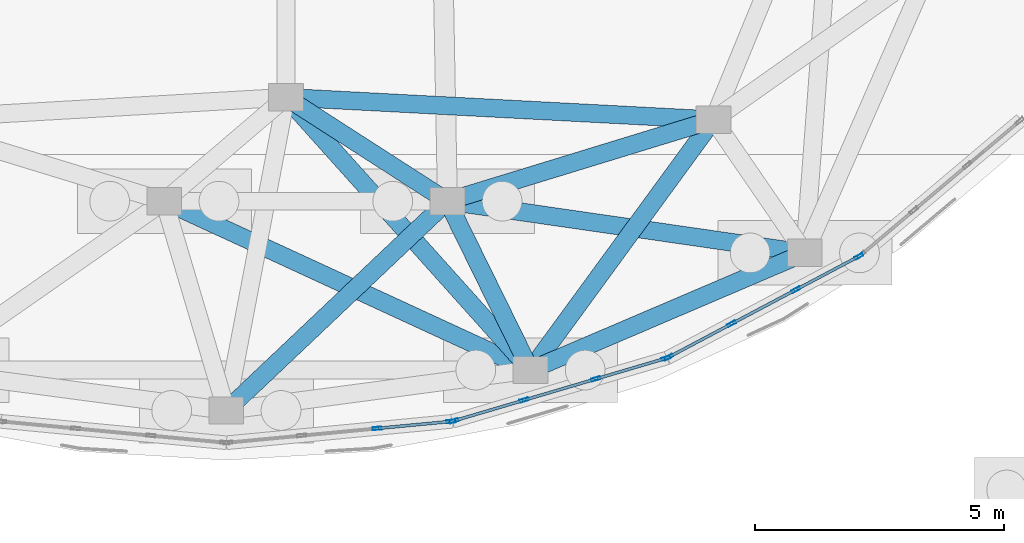
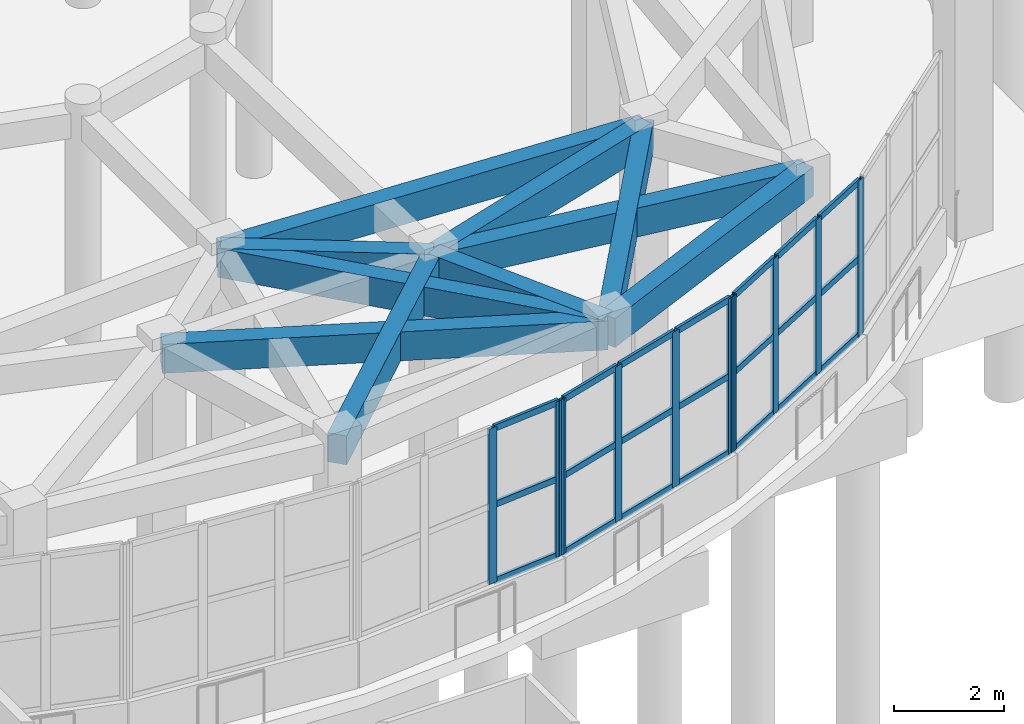
# One storey, part 11 of 96: 31 members, 10 beams, 3 elements without a shape of their own.
"""IFC4 building model written with IfcOpenShell, lengths in metres."""

from ifc_helpers import new_model, si_unit, direction, frame, origin, origin_2d, place, context, subcontext, project, spatial, rectangle, hollow_rectangle, extrude, material, layer, layer_set, material_profile, profile_set, type_object, element, aggregate, save


model = new_model("IFC4")

# Units and contexts
model_context = context("Model", 3, precision=1e-05, world=origin(), true_north=direction((0.0, 1.0)))
body_context = subcontext(model_context, "Body", "Model", "MODEL_VIEW")
ifc_project = project(units=[si_unit("LENGTHUNIT", "METRE"), si_unit("AREAUNIT", "SQUARE_METRE"), si_unit("VOLUMEUNIT", "CUBIC_METRE"), si_unit("PLANEANGLEUNIT", "RADIAN"), si_unit("MASSUNIT", "GRAM", prefix="KILO")], contexts=[model_context])

# Site, building, storey
site_placement = place(None, origin())
site = spatial("IfcSite", under=ifc_project, at=site_placement, CompositionType="ELEMENT")
building_placement = place(site_placement, origin())
building = spatial("IfcBuilding", under=site, at=building_placement, Name="Pelvatis Terrace Science Centre", CompositionType="ELEMENT")
storey_placement = place(building_placement, origin())
storey = spatial("IfcBuildingStorey", under=building, at=storey_placement, Name="L00", CompositionType="ELEMENT", Elevation=0.0)

# Curtain wall, members
ifc_material_1 = material(Name="Bronze-anodised aluminium and laminated glass", Category="aluminium")
ifc_layer = layer(ifc_material_1, 0.179931640625)
ifc_layer_set = layer_set([ifc_layer], Name="Bronze-anodised aluminium and laminated glass")
curtain_wall_type = type_object("IfcCurtainWallType", Name="CW-RIBBON-A", PredefinedType="NOTDEFINED", material=ifc_layer_set)
curtain_wall_1_placement = place(storey_placement, origin())
curtain_wall_1 = element("IfcCurtainWall", 1, at=curtain_wall_1_placement, inside=storey, type_object=curtain_wall_type, Name="Ribbon curtain wall CW-015 (L00)", PredefinedType="NOTDEFINED")
ifc_material_2 = material(Name="Bronze-anodised aluminium 6063-T6", Category="aluminium")
ifc_material_profile_1 = material_profile(ifc_material_2, hollow_rectangle(XDim=0.06005859375, YDim=0.179931640625, WallThickness=0.00390625, at=origin_2d()), Name="ALU-MUL 60x180")
ifc_profile_set_1 = profile_set([ifc_material_profile_1], Name="Bronze-anodised aluminium 6063-T6")
member_type_1 = type_object("IfcMemberType", Name="CWM-60x180", PredefinedType="MULLION", material=ifc_profile_set_1)
member_1_placement = place(storey_placement, frame((48.6337890625, 17.23828125, 1.02001953125), z_axis=(0.0, 0.0, 1.0), x_axis=(-0.094616036521, 0.995513840001, 0.0)))
member_1 = element("IfcMember", 2, at=member_1_placement, type_object=member_type_1, Name="CW-015 mullion 3", PredefinedType="MULLION", context=body_context, shape_type="SweptSolid", body=[
    extrude(hollow_rectangle(XDim=0.06005859375, YDim=0.179931640625, WallThickness=0.00390625, at=origin_2d()), origin(), (0.0, 0.0, 1.0), 3.43994140625),
])
member_2_placement = place(storey_placement, frame((50.120849609375, 17.379638671875, 1.02001953125), z_axis=(0.0, 0.0, 1.0), x_axis=(-0.094616036521, 0.995513840001, 0.0)))
member_2 = element("IfcMember", 3, at=member_2_placement, type_object=member_type_1, Name="CW-015 mullion 4", PredefinedType="MULLION", context=body_context, shape_type="SweptSolid", body=[
    extrude(hollow_rectangle(XDim=0.06005859375, YDim=0.179931640625, WallThickness=0.00390625, at=origin_2d()), origin(), (0.0, 0.0, 1.0), 3.43994140625),
])

curtain_wall_2_placement = place(storey_placement, origin())
curtain_wall_2 = element("IfcCurtainWall", 4, at=curtain_wall_2_placement, inside=storey, type_object=curtain_wall_type, Name="Ribbon curtain wall CW-016 (L00)", PredefinedType="NOTDEFINED")
member_3_placement = place(storey_placement, frame((50.179443359375, 17.39111328125, 1.02001953125), z_axis=(0.0, 0.0, 1.0), x_axis=(-0.283092423463, 0.959092633575, 0.0)))
member_3 = element("IfcMember", 5, at=member_3_placement, type_object=member_type_1, Name="CW-016 mullion 1", PredefinedType="MULLION", context=body_context, shape_type="SweptSolid", body=[
    extrude(hollow_rectangle(XDim=0.06005859375, YDim=0.179931640625, WallThickness=0.00390625, at=origin_2d()), origin(), (0.0, 0.0, 1.0), 3.43994140625),
])
member_4_placement = place(storey_placement, frame((51.59130859375, 17.807861328125, 1.02001953125), z_axis=(0.0, 0.0, 1.0), x_axis=(-0.283092423463, 0.959092633575, 0.0)))
member_4 = element("IfcMember", 6, at=member_4_placement, type_object=member_type_1, Name="CW-016 mullion 2", PredefinedType="MULLION", context=body_context, shape_type="SweptSolid", body=[
    extrude(hollow_rectangle(XDim=0.06005859375, YDim=0.179931640625, WallThickness=0.00390625, at=origin_2d()), origin(), (0.0, 0.0, 1.0), 3.43994140625),
])
member_5_placement = place(storey_placement, frame((53.0322265625, 18.233154296875, 1.02001953125), z_axis=(0.0, 0.0, 1.0), x_axis=(-0.283092423463, 0.959092633575, 0.0)))
member_5 = element("IfcMember", 7, at=member_5_placement, type_object=member_type_1, Name="CW-016 mullion 3", PredefinedType="MULLION", context=body_context, shape_type="SweptSolid", body=[
    extrude(hollow_rectangle(XDim=0.06005859375, YDim=0.179931640625, WallThickness=0.00390625, at=origin_2d()), origin(), (0.0, 0.0, 1.0), 3.43994140625),
])
member_6_placement = place(storey_placement, frame((54.444091796875, 18.64990234375, 1.02001953125), z_axis=(0.0, 0.0, 1.0), x_axis=(-0.283092423463, 0.959092633575, 0.0)))
member_6 = element("IfcMember", 8, at=member_6_placement, type_object=member_type_1, Name="CW-016 mullion 4", PredefinedType="MULLION", context=body_context, shape_type="SweptSolid", body=[
    extrude(hollow_rectangle(XDim=0.06005859375, YDim=0.179931640625, WallThickness=0.00390625, at=origin_2d()), origin(), (0.0, 0.0, 1.0), 3.43994140625),
])

curtain_wall_3_placement = place(storey_placement, origin())
curtain_wall_3 = element("IfcCurtainWall", 9, at=curtain_wall_3_placement, inside=storey, type_object=curtain_wall_type, Name="Ribbon curtain wall CW-017 (L00)", PredefinedType="NOTDEFINED")
member_7_placement = place(storey_placement, frame((54.49951171875, 18.67236328125, 1.02001953125), z_axis=(0.0, 0.0, 1.0), x_axis=(-0.468298084466, 0.88357054279, 0.0)))
member_7 = element("IfcMember", 10, at=member_7_placement, type_object=member_type_1, Name="CW-017 mullion 1", PredefinedType="MULLION", context=body_context, shape_type="SweptSolid", body=[
    extrude(hollow_rectangle(XDim=0.06005859375, YDim=0.179931640625, WallThickness=0.00390625, at=origin_2d()), origin(), (0.0, 0.0, 1.0), 3.43994140625),
])
member_8_placement = place(storey_placement, frame((55.765380859375, 19.34326171875, 1.02001953125), z_axis=(0.0, 0.0, 1.0), x_axis=(-0.468298084466, 0.88357054279, 0.0)))
member_8 = element("IfcMember", 11, at=member_8_placement, type_object=member_type_1, Name="CW-017 mullion 2", PredefinedType="MULLION", context=body_context, shape_type="SweptSolid", body=[
    extrude(hollow_rectangle(XDim=0.06005859375, YDim=0.179931640625, WallThickness=0.00390625, at=origin_2d()), origin(), (0.0, 0.0, 1.0), 3.43994140625),
])
member_9_placement = place(storey_placement, frame((57.057861328125, 20.0283203125, 1.02001953125), z_axis=(0.0, 0.0, 1.0), x_axis=(-0.468298084466, 0.88357054279, 0.0)))
member_9 = element("IfcMember", 12, at=member_9_placement, type_object=member_type_1, Name="CW-017 mullion 3", PredefinedType="MULLION", context=body_context, shape_type="SweptSolid", body=[
    extrude(hollow_rectangle(XDim=0.06005859375, YDim=0.179931640625, WallThickness=0.00390625, at=origin_2d()), origin(), (0.0, 0.0, 1.0), 3.43994140625),
])
member_10_placement = place(storey_placement, frame((58.323974609375, 20.699462890625, 1.02001953125), z_axis=(0.0, 0.0, 1.0), x_axis=(-0.468298084466, 0.88357054279, 0.0)))
member_10 = element("IfcMember", 13, at=member_10_placement, type_object=member_type_1, Name="CW-017 mullion 4", PredefinedType="MULLION", context=body_context, shape_type="SweptSolid", body=[
    extrude(hollow_rectangle(XDim=0.06005859375, YDim=0.179931640625, WallThickness=0.00390625, at=origin_2d()), origin(), (0.0, 0.0, 1.0), 3.43994140625),
])

# Member
ifc_material_3 = material(Name="Bronze-anodised aluminium 6063-T6", Category="aluminium")
ifc_material_profile_2 = material_profile(ifc_material_3, hollow_rectangle(XDim=0.06005859375, YDim=0.139892578125, WallThickness=0.00390625, at=origin_2d()), Name="ALU-TRN 60x140")
ifc_profile_set_2 = profile_set([ifc_material_profile_2], Name="Bronze-anodised aluminium 6063-T6")
member_type_2 = type_object("IfcMemberType", Name="CWT-60x140", PredefinedType="USERDEFINED", material=ifc_profile_set_2)
member_11_placement = place(storey_placement, frame((48.66357421875, 17.2412109375, 1.050048828125), z_axis=(0.995523746315, 0.094511748068, 0.0), x_axis=(-0.094511748068, 0.995523746315, 0.0)))
member_11 = element("IfcMember", 14, at=member_11_placement, type_object=member_type_2, Name="CW-015 transom 3.1", ObjectType="TRANSOM", PredefinedType="USERDEFINED", context=body_context, shape_type="SweptSolid", body=[
    extrude(hollow_rectangle(XDim=0.06005859375, YDim=0.139892578125, WallThickness=0.00390625, at=origin_2d()), origin(), (0.0, 0.0, 1.0), 1.43359375),
])

member_12_placement = place(storey_placement, frame((48.66357421875, 17.2412109375, 2.739990234375), z_axis=(0.995523746315, 0.094511748068, 0.0), x_axis=(-0.094511748068, 0.995523746315, 0.0)))
member_12 = element("IfcMember", 15, at=member_12_placement, type_object=member_type_2, Name="CW-015 transom 3.2", ObjectType="TRANSOM", PredefinedType="USERDEFINED", context=body_context, shape_type="SweptSolid", body=[
    extrude(hollow_rectangle(XDim=0.06005859375, YDim=0.139892578125, WallThickness=0.00390625, at=origin_2d()), origin(), (0.0, 0.0, 1.0), 1.43359375),
])

member_13_placement = place(storey_placement, frame((48.66357421875, 17.2412109375, 4.429931640625), z_axis=(0.995523746315, 0.094511748068, 0.0), x_axis=(-0.094511748068, 0.995523746315, 0.0)))
member_13 = element("IfcMember", 16, at=member_13_placement, type_object=member_type_2, Name="CW-015 transom 3.3", ObjectType="TRANSOM", PredefinedType="USERDEFINED", context=body_context, shape_type="SweptSolid", body=[
    extrude(hollow_rectangle(XDim=0.06005859375, YDim=0.139892578125, WallThickness=0.00390625, at=origin_2d()), origin(), (0.0, 0.0, 1.0), 1.43359375),
])

aggregate(curtain_wall_1, [member_1, member_2, member_11, member_12, member_13])

member_14_placement = place(storey_placement, frame((50.208251953125, 17.3994140625, 1.050048828125), z_axis=(0.959059340813, 0.283205192041, 0.0), x_axis=(-0.283205192041, 0.959059340813, 0.0)))
member_14 = element("IfcMember", 17, at=member_14_placement, type_object=member_type_2, Name="CW-016 transom 1.1", ObjectType="TRANSOM", PredefinedType="USERDEFINED", context=body_context, shape_type="SweptSolid", body=[
    extrude(hollow_rectangle(XDim=0.06005859375, YDim=0.139892578125, WallThickness=0.00390625, at=origin_2d()), origin(), (0.0, 0.0, 1.0), 1.412109375),
])

member_15_placement = place(storey_placement, frame((50.208251953125, 17.3994140625, 2.739990234375), z_axis=(0.959059340813, 0.283205192041, 0.0), x_axis=(-0.283205192041, 0.959059340813, 0.0)))
member_15 = element("IfcMember", 18, at=member_15_placement, type_object=member_type_2, Name="CW-016 transom 1.2", ObjectType="TRANSOM", PredefinedType="USERDEFINED", context=body_context, shape_type="SweptSolid", body=[
    extrude(hollow_rectangle(XDim=0.06005859375, YDim=0.139892578125, WallThickness=0.00390625, at=origin_2d()), origin(), (0.0, 0.0, 1.0), 1.412109375),
])

member_16_placement = place(storey_placement, frame((50.208251953125, 17.3994140625, 4.429931640625), z_axis=(0.959059340813, 0.283205192041, 0.0), x_axis=(-0.283205192041, 0.959059340813, 0.0)))
member_16 = element("IfcMember", 19, at=member_16_placement, type_object=member_type_2, Name="CW-016 transom 1.3", ObjectType="TRANSOM", PredefinedType="USERDEFINED", context=body_context, shape_type="SweptSolid", body=[
    extrude(hollow_rectangle(XDim=0.06005859375, YDim=0.139892578125, WallThickness=0.00390625, at=origin_2d()), origin(), (0.0, 0.0, 1.0), 1.412109375),
])

member_17_placement = place(storey_placement, frame((51.6201171875, 17.816162109375, 1.050048828125), z_axis=(0.959065780498, 0.283183383476, 0.0), x_axis=(-0.283183383476, 0.959065780498, 0.0)))
member_17 = element("IfcMember", 20, at=member_17_placement, type_object=member_type_2, Name="CW-016 transom 2.1", ObjectType="TRANSOM", PredefinedType="USERDEFINED", context=body_context, shape_type="SweptSolid", body=[
    extrude(hollow_rectangle(XDim=0.06005859375, YDim=0.139892578125, WallThickness=0.00390625, at=origin_2d()), origin(), (0.0, 0.0, 1.0), 1.4423828125),
])

member_18_placement = place(storey_placement, frame((51.6201171875, 17.816162109375, 2.739990234375), z_axis=(0.959065780498, 0.283183383476, 0.0), x_axis=(-0.283183383476, 0.959065780498, 0.0)))
member_18 = element("IfcMember", 21, at=member_18_placement, type_object=member_type_2, Name="CW-016 transom 2.2", ObjectType="TRANSOM", PredefinedType="USERDEFINED", context=body_context, shape_type="SweptSolid", body=[
    extrude(hollow_rectangle(XDim=0.06005859375, YDim=0.139892578125, WallThickness=0.00390625, at=origin_2d()), origin(), (0.0, 0.0, 1.0), 1.4423828125),
])

member_19_placement = place(storey_placement, frame((51.6201171875, 17.816162109375, 4.429931640625), z_axis=(0.959065780498, 0.283183383476, 0.0), x_axis=(-0.283183383476, 0.959065780498, 0.0)))
member_19 = element("IfcMember", 22, at=member_19_placement, type_object=member_type_2, Name="CW-016 transom 2.3", ObjectType="TRANSOM", PredefinedType="USERDEFINED", context=body_context, shape_type="SweptSolid", body=[
    extrude(hollow_rectangle(XDim=0.06005859375, YDim=0.139892578125, WallThickness=0.00390625, at=origin_2d()), origin(), (0.0, 0.0, 1.0), 1.4423828125),
])

member_20_placement = place(storey_placement, frame((53.060791015625, 18.241455078125, 1.050048828125), z_axis=(0.959073204595, 0.283158238848, 0.0), x_axis=(-0.283158238848, 0.959073204595, 0.0)))
member_20 = element("IfcMember", 23, at=member_20_placement, type_object=member_type_2, Name="CW-016 transom 3.1", ObjectType="TRANSOM", PredefinedType="USERDEFINED", context=body_context, shape_type="SweptSolid", body=[
    extrude(hollow_rectangle(XDim=0.06005859375, YDim=0.139892578125, WallThickness=0.00390625, at=origin_2d()), origin(), (0.0, 0.0, 1.0), 1.412353515625),
])

member_21_placement = place(storey_placement, frame((53.060791015625, 18.241455078125, 2.739990234375), z_axis=(0.959073204595, 0.283158238848, 0.0), x_axis=(-0.283158238848, 0.959073204595, 0.0)))
member_21 = element("IfcMember", 24, at=member_21_placement, type_object=member_type_2, Name="CW-016 transom 3.2", ObjectType="TRANSOM", PredefinedType="USERDEFINED", context=body_context, shape_type="SweptSolid", body=[
    extrude(hollow_rectangle(XDim=0.06005859375, YDim=0.139892578125, WallThickness=0.00390625, at=origin_2d()), origin(), (0.0, 0.0, 1.0), 1.412353515625),
])

member_22_placement = place(storey_placement, frame((53.060791015625, 18.241455078125, 4.429931640625), z_axis=(0.959073204595, 0.283158238848, 0.0), x_axis=(-0.283158238848, 0.959073204595, 0.0)))
member_22 = element("IfcMember", 25, at=member_22_placement, type_object=member_type_2, Name="CW-016 transom 3.3", ObjectType="TRANSOM", PredefinedType="USERDEFINED", context=body_context, shape_type="SweptSolid", body=[
    extrude(hollow_rectangle(XDim=0.06005859375, YDim=0.139892578125, WallThickness=0.00390625, at=origin_2d()), origin(), (0.0, 0.0, 1.0), 1.412353515625),
])

aggregate(curtain_wall_2, [member_3, member_4, member_5, member_6, member_14, member_15, member_16, member_17, member_18, member_19, member_20, member_21, member_22])

member_23_placement = place(storey_placement, frame((54.52587890625, 18.686279296875, 1.050048828125), z_axis=(0.883541261562, 0.46835332722, 0.0), x_axis=(-0.46835332722, 0.883541261562, 0.0)))
member_23 = element("IfcMember", 26, at=member_23_placement, type_object=member_type_2, Name="CW-017 transom 1.1", ObjectType="TRANSOM", PredefinedType="USERDEFINED", context=body_context, shape_type="SweptSolid", body=[
    extrude(hollow_rectangle(XDim=0.06005859375, YDim=0.139892578125, WallThickness=0.00390625, at=origin_2d()), origin(), (0.0, 0.0, 1.0), 1.373046875),
])

member_24_placement = place(storey_placement, frame((54.52587890625, 18.686279296875, 2.739990234375), z_axis=(0.883541261562, 0.46835332722, 0.0), x_axis=(-0.46835332722, 0.883541261562, 0.0)))
member_24 = element("IfcMember", 27, at=member_24_placement, type_object=member_type_2, Name="CW-017 transom 1.2", ObjectType="TRANSOM", PredefinedType="USERDEFINED", context=body_context, shape_type="SweptSolid", body=[
    extrude(hollow_rectangle(XDim=0.06005859375, YDim=0.139892578125, WallThickness=0.00390625, at=origin_2d()), origin(), (0.0, 0.0, 1.0), 1.373046875),
])

member_25_placement = place(storey_placement, frame((54.52587890625, 18.686279296875, 4.429931640625), z_axis=(0.883541261562, 0.46835332722, 0.0), x_axis=(-0.46835332722, 0.883541261562, 0.0)))
member_25 = element("IfcMember", 28, at=member_25_placement, type_object=member_type_2, Name="CW-017 transom 1.3", ObjectType="TRANSOM", PredefinedType="USERDEFINED", context=body_context, shape_type="SweptSolid", body=[
    extrude(hollow_rectangle(XDim=0.06005859375, YDim=0.139892578125, WallThickness=0.00390625, at=origin_2d()), origin(), (0.0, 0.0, 1.0), 1.373046875),
])

member_26_placement = place(storey_placement, frame((55.7919921875, 19.357421875, 1.050048828125), z_axis=(0.883559217808, 0.468319451472, 0.0), x_axis=(-0.468319451472, 0.883559217808, 0.0)))
member_26 = element("IfcMember", 29, at=member_26_placement, type_object=member_type_2, Name="CW-017 transom 2.1", ObjectType="TRANSOM", PredefinedType="USERDEFINED", context=body_context, shape_type="SweptSolid", body=[
    extrude(hollow_rectangle(XDim=0.06005859375, YDim=0.139892578125, WallThickness=0.00390625, at=origin_2d()), origin(), (0.0, 0.0, 1.0), 1.40283203125),
])

member_27_placement = place(storey_placement, frame((55.7919921875, 19.357421875, 2.739990234375), z_axis=(0.883559217808, 0.468319451472, 0.0), x_axis=(-0.468319451472, 0.883559217808, 0.0)))
member_27 = element("IfcMember", 30, at=member_27_placement, type_object=member_type_2, Name="CW-017 transom 2.2", ObjectType="TRANSOM", PredefinedType="USERDEFINED", context=body_context, shape_type="SweptSolid", body=[
    extrude(hollow_rectangle(XDim=0.06005859375, YDim=0.139892578125, WallThickness=0.00390625, at=origin_2d()), origin(), (0.0, 0.0, 1.0), 1.40283203125),
])

member_28_placement = place(storey_placement, frame((55.7919921875, 19.357421875, 4.429931640625), z_axis=(0.883559217808, 0.468319451472, 0.0), x_axis=(-0.468319451472, 0.883559217808, 0.0)))
member_28 = element("IfcMember", 31, at=member_28_placement, type_object=member_type_2, Name="CW-017 transom 2.3", ObjectType="TRANSOM", PredefinedType="USERDEFINED", context=body_context, shape_type="SweptSolid", body=[
    extrude(hollow_rectangle(XDim=0.06005859375, YDim=0.139892578125, WallThickness=0.00390625, at=origin_2d()), origin(), (0.0, 0.0, 1.0), 1.40283203125),
])

member_29_placement = place(storey_placement, frame((57.08447265625, 20.04248046875, 1.050048828125), z_axis=(0.88357584358, 0.46828808296, 0.0), x_axis=(-0.46828808296, 0.88357584358, 0.0)))
member_29 = element("IfcMember", 32, at=member_29_placement, type_object=member_type_2, Name="CW-017 transom 3.1", ObjectType="TRANSOM", PredefinedType="USERDEFINED", context=body_context, shape_type="SweptSolid", body=[
    extrude(hollow_rectangle(XDim=0.06005859375, YDim=0.139892578125, WallThickness=0.00390625, at=origin_2d()), origin(), (0.0, 0.0, 1.0), 1.372802734375),
])

member_30_placement = place(storey_placement, frame((57.08447265625, 20.04248046875, 2.739990234375), z_axis=(0.88357584358, 0.46828808296, 0.0), x_axis=(-0.46828808296, 0.88357584358, 0.0)))
member_30 = element("IfcMember", 33, at=member_30_placement, type_object=member_type_2, Name="CW-017 transom 3.2", ObjectType="TRANSOM", PredefinedType="USERDEFINED", context=body_context, shape_type="SweptSolid", body=[
    extrude(hollow_rectangle(XDim=0.06005859375, YDim=0.139892578125, WallThickness=0.00390625, at=origin_2d()), origin(), (0.0, 0.0, 1.0), 1.372802734375),
])

member_31_placement = place(storey_placement, frame((57.08447265625, 20.04248046875, 4.429931640625), z_axis=(0.88357584358, 0.46828808296, 0.0), x_axis=(-0.46828808296, 0.88357584358, 0.0)))
member_31 = element("IfcMember", 34, at=member_31_placement, type_object=member_type_2, Name="CW-017 transom 3.3", ObjectType="TRANSOM", PredefinedType="USERDEFINED", context=body_context, shape_type="SweptSolid", body=[
    extrude(hollow_rectangle(XDim=0.06005859375, YDim=0.139892578125, WallThickness=0.00390625, at=origin_2d()), origin(), (0.0, 0.0, 1.0), 1.372802734375),
])

aggregate(curtain_wall_3, [member_7, member_8, member_9, member_10, member_23, member_24, member_25, member_26, member_27, member_28, member_29, member_30, member_31])

# Beams
ifc_material_4 = material(Name="Concrete C35/45", Category="concrete")
ifc_material_profile_3 = material_profile(ifc_material_4, rectangle(XDim=0.360107421875, YDim=0.639892578125, at=origin_2d()), Name="RC-SPN 360x640")
ifc_profile_set_3 = profile_set([ifc_material_profile_3], Name="Concrete C35/45")
beam_type = type_object("IfcBeamType", Name="SPN-RC-360x640", PredefinedType="SPANDREL", material=ifc_profile_set_3)
beam_1_placement = place(storey_placement, frame((44.352294921875, 21.809814453125, 4.820068359375), z_axis=(0.908080027595, -0.418796685138, 0.0), x_axis=(0.418796685138, 0.908080027595, 0.0)))
element("IfcBeam", 35, at=beam_1_placement, inside=storey, type_object=beam_type, Name="Spandrel SP-L00-2351", PredefinedType="SPANDREL", context=body_context, shape_type="SweptSolid", body=[
    extrude(rectangle(XDim=0.360107421875, YDim=0.639892578125, at=origin_2d()), origin(), (0.0, 0.0, 1.0), 8.11181640625),
])
beam_2_placement = place(storey_placement, frame((50.0478515625, 21.809814453125, 4.820068359375), z_axis=(0.956173292978, 0.292801355522, 0.0), x_axis=(-0.292801355522, 0.956173292978, 0.0)))
element("IfcBeam", 36, at=beam_2_placement, inside=storey, type_object=beam_type, Name="Spandrel SP-L00-2353", PredefinedType="SPANDREL", context=body_context, shape_type="SweptSolid", body=[
    extrude(rectangle(XDim=0.360107421875, YDim=0.639892578125, at=origin_2d()), origin(), (0.0, 0.0, 1.0), 5.597412109375),
])
beam_3_placement = place(storey_placement, frame((50.0478515625, 21.809814453125, 4.820068359375), z_axis=(-0.726274207639, -0.687405102773, 0.0), x_axis=(0.687405102773, -0.726274207639, 0.0)))
element("IfcBeam", 37, at=beam_3_placement, inside=storey, type_object=beam_type, Name="Spandrel SP-L00-2354", PredefinedType="SPANDREL", context=body_context, shape_type="SweptSolid", body=[
    extrude(rectangle(XDim=0.360107421875, YDim=0.639892578125, at=origin_2d()), origin(), (0.0, 0.0, 1.0), 6.1240234375),
])
beam_4_placement = place(storey_placement, frame((50.0478515625, 21.809814453125, 4.820068359375), z_axis=(0.441296670471, -0.897361269853, 0.0), x_axis=(0.897361269853, 0.441296670471, 0.0)))
element("IfcBeam", 38, at=beam_4_placement, inside=storey, type_object=beam_type, Name="Spandrel SP-L00-2355", PredefinedType="SPANDREL", context=body_context, shape_type="SweptSolid", body=[
    extrude(rectangle(XDim=0.360107421875, YDim=0.639892578125, at=origin_2d()), origin(), (0.0, 0.0, 1.0), 3.785888671875),
])
beam_5_placement = place(storey_placement, frame((50.0478515625, 21.809814453125, 4.820068359375), z_axis=(0.989709487163, -0.143091338031, 0.0), x_axis=(0.143091338031, 0.989709487163, 0.0)))
element("IfcBeam", 39, at=beam_5_placement, inside=storey, type_object=beam_type, Name="Spandrel SP-L00-2356", PredefinedType="SPANDREL", context=body_context, shape_type="SweptSolid", body=[
    extrude(rectangle(XDim=0.360107421875, YDim=0.639892578125, at=origin_2d()), origin(), (0.0, 0.0, 1.0), 7.264892578125),
])
beam_6_placement = place(storey_placement, frame((50.0478515625, 21.809814453125, 4.820068359375), z_axis=(-0.840917539868, 0.541163275863, 0.0), x_axis=(-0.541163275863, -0.840917539868, 0.0)))
element("IfcBeam", 40, at=beam_6_placement, inside=storey, type_object=beam_type, Name="Spandrel SP-L00-2357", PredefinedType="SPANDREL", context=body_context, shape_type="SweptSolid", body=[
    extrude(rectangle(XDim=0.360107421875, YDim=0.639892578125, at=origin_2d()), origin(), (0.0, 0.0, 1.0), 3.8623046875),
])
beam_7_placement = place(storey_placement, frame((55.39990234375, 23.44873046875, 4.820068359375), z_axis=(-0.590136293898, -0.807303632238, 0.0), x_axis=(0.807303632238, -0.590136293898, 0.0)))
element("IfcBeam", 41, at=beam_7_placement, inside=storey, type_object=beam_type, Name="Spandrel SP-L00-2359", PredefinedType="SPANDREL", context=body_context, shape_type="SweptSolid", body=[
    extrude(rectangle(XDim=0.360107421875, YDim=0.639892578125, at=origin_2d()), origin(), (0.0, 0.0, 1.0), 6.23828125),
])
beam_8_placement = place(storey_placement, frame((55.39990234375, 23.44873046875, 4.820068359375), z_axis=(-0.998626664744, 0.052390690602, 0.0), x_axis=(-0.052390690602, -0.998626664744, 0.0)))
element("IfcBeam", 42, at=beam_8_placement, inside=storey, type_object=beam_type, Name="Spandrel SP-L00-2361", PredefinedType="SPANDREL", context=body_context, shape_type="SweptSolid", body=[
    extrude(rectangle(XDim=0.360107421875, YDim=0.639892578125, at=origin_2d()), origin(), (0.0, 0.0, 1.0), 8.611572265625),
])
beam_9_placement = place(storey_placement, frame((51.718505859375, 18.41259765625, 4.820068359375), z_axis=(0.919617758379, 0.39281443262, 0.0), x_axis=(-0.39281443262, 0.919617758379, 0.0)))
element("IfcBeam", 43, at=beam_9_placement, inside=storey, type_object=beam_type, Name="Spandrel SP-L00-2385", PredefinedType="SPANDREL", context=body_context, shape_type="SweptSolid", body=[
    extrude(rectangle(XDim=0.360107421875, YDim=0.639892578125, at=origin_2d()), origin(), (0.0, 0.0, 1.0), 6.001953125),
])
beam_10_placement = place(storey_placement, frame((51.718505859375, 18.41259765625, 4.820068359375), z_axis=(-0.667455074799, 0.744650067566, 0.0), x_axis=(-0.744650067566, -0.667455074799, 0.0)))
element("IfcBeam", 44, at=beam_10_placement, inside=storey, type_object=beam_type, Name="Spandrel SP-L00-2386", PredefinedType="SPANDREL", context=body_context, shape_type="SweptSolid", body=[
    extrude(rectangle(XDim=0.360107421875, YDim=0.639892578125, at=origin_2d()), origin(), (0.0, 0.0, 1.0), 7.368896484375),
])

save(model, "model.ifc")
